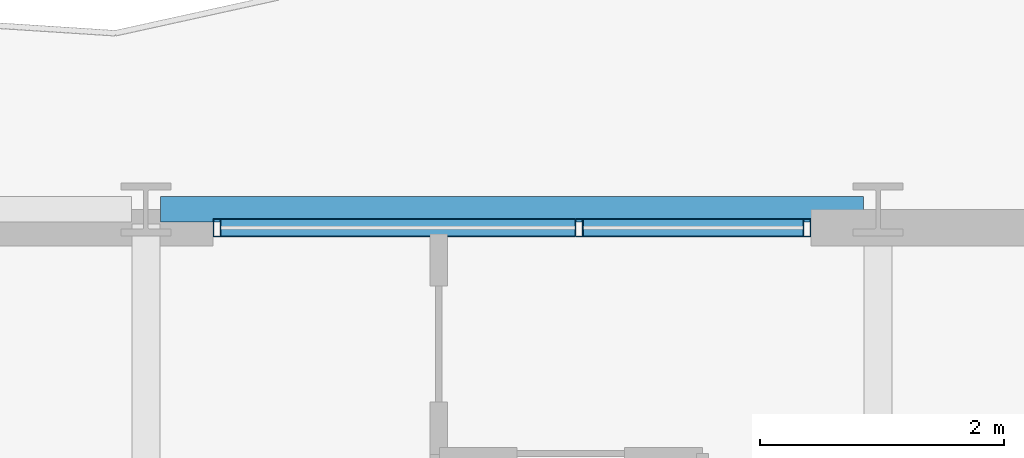
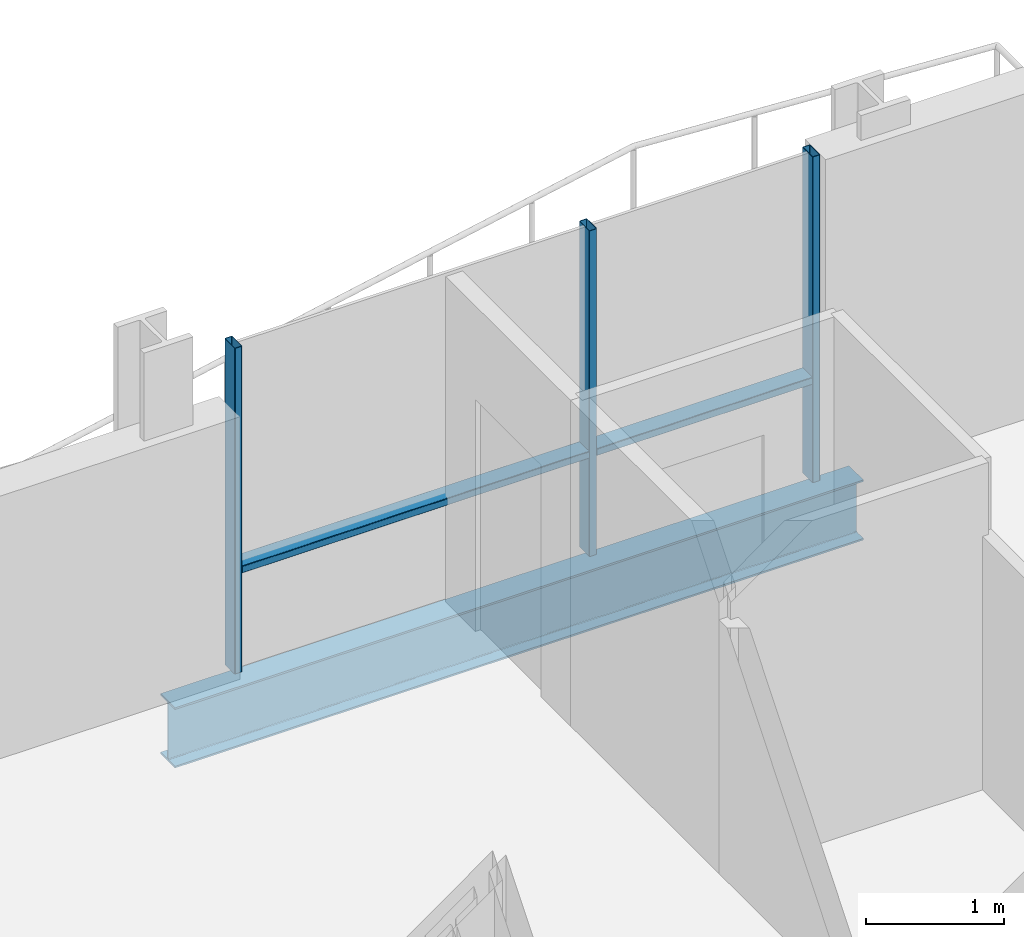
# One storey, part 24 of 41: 5 members, 1 beam, 1 element without a shape of its own.
"""IFC4 building model written with IfcOpenShell, lengths in metres."""

from ifc_helpers import new_model, si_unit, direction, frame, origin, origin_2d, place, context, subcontext, project, spatial, hollow_rectangle, i_section, extrude, material, layer, layer_set, material_profile, profile_set, type_object, element, aggregate, save


model = new_model("IFC4")

# Units and contexts
model_context = context("Model", 3, precision=1e-05, world=origin(), true_north=direction((0.0, 1.0)))
body_context = subcontext(model_context, "Body", "Model", "MODEL_VIEW")
ifc_project = project(units=[si_unit("LENGTHUNIT", "METRE"), si_unit("AREAUNIT", "SQUARE_METRE"), si_unit("VOLUMEUNIT", "CUBIC_METRE"), si_unit("PLANEANGLEUNIT", "RADIAN"), si_unit("MASSUNIT", "GRAM", prefix="KILO")], contexts=[model_context])

# Site, building, storey
site_placement = place(None, origin())
site = spatial("IfcSite", under=ifc_project, at=site_placement, CompositionType="ELEMENT")
building_placement = place(site_placement, origin())
building = spatial("IfcBuilding", under=site, at=building_placement, Name="Brevholm Reach", CompositionType="ELEMENT")
storey_placement = place(building_placement, frame((0.0, 0.0, 100.39990234375)))
storey = spatial("IfcBuildingStorey", under=building, at=storey_placement, Name="L29", CompositionType="ELEMENT", Elevation=100.39990234375)

# Beam
ifc_material_1 = material(Name="Structural Steel S355J2", Category="steel")
ifc_material_profile_1 = material_profile(ifc_material_1, i_section(OverallWidth=0.209228515625, OverallDepth=0.533203125, WebThickness=0.010009765625, FlangeThickness=0.015625, FilletRadius=0.0126953125, at=origin_2d()), Name="UKB 533x210x92")
ifc_profile_set_1 = profile_set([ifc_material_profile_1], Name="Structural Steel S355J2")
beam_type = type_object("IfcBeamType", Name="BM-SP533", PredefinedType="SPANDREL", material=ifc_profile_set_1)
beam_placement = place(storey_placement, frame((48.1201171875, 31.0, -0.486572265625), z_axis=(1.0, 0.0, 0.0), x_axis=(0.0, 1.0, 0.0)))
element("IfcBeam", 1, at=beam_placement, inside=storey, type_object=beam_type, Name="L29 SP-02 Framing Beam", PredefinedType="SPANDREL", context=body_context, shape_type="SweptSolid", body=[
    extrude(i_section(OverallWidth=0.209228515625, OverallDepth=0.533203125, WebThickness=0.010009765625, FlangeThickness=0.015625, FilletRadius=0.0126953125, at=origin_2d()), origin(), (0.0, 0.0, 1.0), 5.759765625),
])

# Curtain wall, members
ifc_material_2 = material(Name="Dark Anodised Aluminium 6063-T6 and Solar-Control Glass", Category="aluminium")
ifc_layer = layer(ifc_material_2, 0.14990234375)
ifc_layer_set = layer_set([ifc_layer], Name="Dark Anodised Aluminium 6063-T6 and Solar-Control Glass")
curtain_wall_type = type_object("IfcCurtainWallType", Name="CW-01", PredefinedType="NOTDEFINED", material=ifc_layer_set)
curtain_wall_placement = place(storey_placement, origin())
curtain_wall = element("IfcCurtainWall", 2, at=curtain_wall_placement, inside=storey, type_object=curtain_wall_type, Name="L29 Curtain Wall CW-01", PredefinedType="NOTDEFINED")
ifc_material_3 = material(Name="Dark Anodised Aluminium 6063-T6", Category="aluminium")
ifc_material_profile_2 = material_profile(ifc_material_3, hollow_rectangle(XDim=0.06494140625, YDim=0.14990234375, WallThickness=0.0048828125, InnerFilletRadius=0.0048828125, OuterFilletRadius=0.010009765625, at=origin_2d()), Name="RHS 150x65x5")
ifc_profile_set_2 = profile_set([ifc_material_profile_2], Name="Dark Anodised Aluminium 6063-T6")
member_type_1 = type_object("IfcMemberType", Name="CWM-150", PredefinedType="MULLION", material=ifc_profile_set_2)
member_1_placement = place(storey_placement, frame((48.58251953125, 30.85009765625, 0.0), z_axis=(0.0, 0.0, 1.0), x_axis=(1.0, 0.0, 0.0)))
member_1 = element("IfcMember", 3, at=member_1_placement, type_object=member_type_1, Name="CM-150 Mullion 1", PredefinedType="MULLION", context=body_context, shape_type="SweptSolid", body=[
    extrude(hollow_rectangle(XDim=0.06494140625, YDim=0.14990234375, WallThickness=0.0048828125, InnerFilletRadius=0.0048828125, OuterFilletRadius=0.010009765625, at=origin_2d()), origin(), (0.0, 0.0, 1.0), 2.880126953125),
])
member_2_placement = place(storey_placement, frame((51.550048828125, 30.85009765625, 0.0), z_axis=(0.0, 0.0, 1.0), x_axis=(1.0, 0.0, 0.0)))
member_2 = element("IfcMember", 4, at=member_2_placement, type_object=member_type_1, Name="CM-150 Mullion 2", PredefinedType="MULLION", context=body_context, shape_type="SweptSolid", body=[
    extrude(hollow_rectangle(XDim=0.06494140625, YDim=0.14990234375, WallThickness=0.0048828125, InnerFilletRadius=0.0048828125, OuterFilletRadius=0.010009765625, at=origin_2d()), origin(), (0.0, 0.0, 1.0), 2.880126953125),
])
member_3_placement = place(storey_placement, frame((53.41748046875, 30.85009765625, 0.0), z_axis=(0.0, 0.0, 1.0), x_axis=(1.0, 0.0, 0.0)))
member_3 = element("IfcMember", 5, at=member_3_placement, type_object=member_type_1, Name="CM-150 Mullion 3", PredefinedType="MULLION", context=body_context, shape_type="SweptSolid", body=[
    extrude(hollow_rectangle(XDim=0.06494140625, YDim=0.14990234375, WallThickness=0.0048828125, InnerFilletRadius=0.0048828125, OuterFilletRadius=0.010009765625, at=origin_2d()), origin(), (0.0, 0.0, 1.0), 2.880126953125),
])
ifc_material_4 = material(Name="Dark Anodised Aluminium 6063-T6", Category="aluminium")
ifc_material_profile_3 = material_profile(ifc_material_4, hollow_rectangle(XDim=0.06494140625, YDim=0.14990234375, WallThickness=0.0048828125, InnerFilletRadius=0.0048828125, OuterFilletRadius=0.010009765625, at=origin_2d()), Name="RHS 150x65x5")
ifc_profile_set_3 = profile_set([ifc_material_profile_3], Name="Dark Anodised Aluminium 6063-T6")
member_type_2 = type_object("IfcMemberType", Name="CWT-150", PredefinedType="NOTDEFINED", material=ifc_profile_set_3)
member_4_placement = place(storey_placement, frame((48.614990234375, 30.85009765625, 0.900146484375), z_axis=(1.0, 0.0, 0.0), x_axis=(0.0, 0.0, 1.0)))
member_4 = element("IfcMember", 6, at=member_4_placement, type_object=member_type_2, Name="CT-150 Transom 1.1", ObjectType="TRANSOM", PredefinedType="USERDEFINED", context=body_context, shape_type="SweptSolid", body=[
    extrude(hollow_rectangle(XDim=0.06494140625, YDim=0.14990234375, WallThickness=0.0048828125, InnerFilletRadius=0.0048828125, OuterFilletRadius=0.010009765625, at=origin_2d()), origin(), (0.0, 0.0, 1.0), 2.902587890625),
])
member_5_placement = place(storey_placement, frame((51.58251953125, 30.85009765625, 0.900146484375), z_axis=(1.0, 0.0, 0.0), x_axis=(0.0, 0.0, 1.0)))
member_5 = element("IfcMember", 7, at=member_5_placement, type_object=member_type_2, Name="CT-150 Transom 2.1", ObjectType="TRANSOM", PredefinedType="USERDEFINED", context=body_context, shape_type="SweptSolid", body=[
    extrude(hollow_rectangle(XDim=0.06494140625, YDim=0.14990234375, WallThickness=0.0048828125, InnerFilletRadius=0.0048828125, OuterFilletRadius=0.010009765625, at=origin_2d()), origin(), (0.0, 0.0, 1.0), 1.802490234375),
])
aggregate(curtain_wall, [member_1, member_2, member_3, member_4, member_5])

save(model, "model.ifc")
